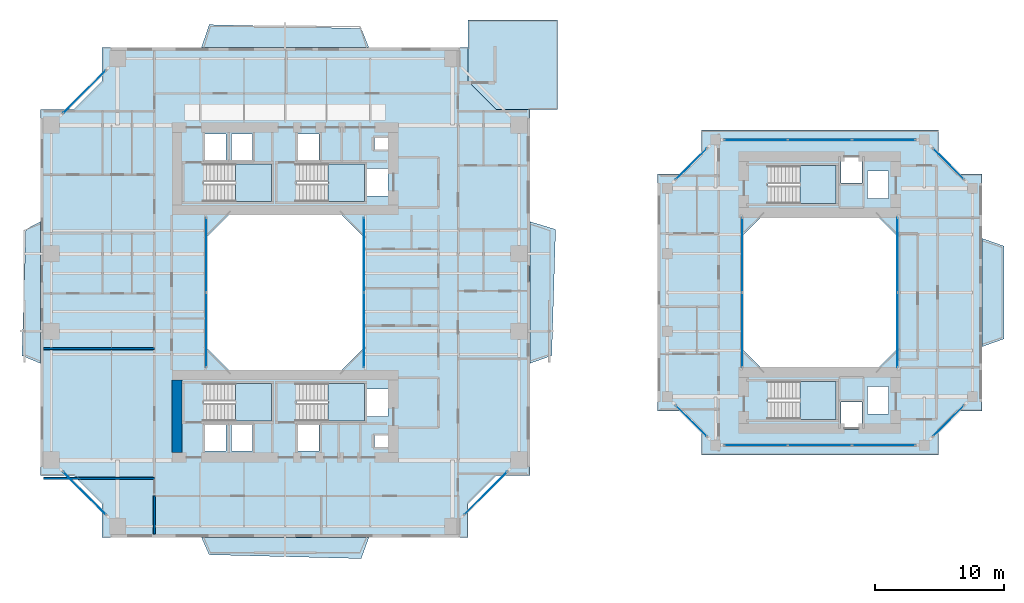
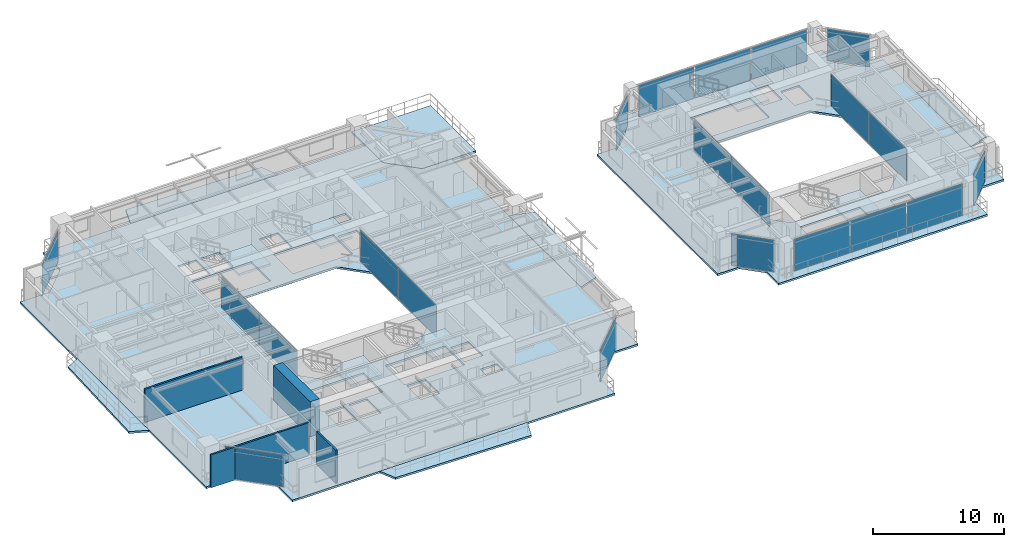
# One storey, part 11 of 23: 21 plates, 14 slabs, 4 walls, 19 elements without a shape of their own.
"""IFC4 building model written with IfcOpenShell, lengths in metres."""

from ifc_helpers import new_model, si_unit, direction, frame, frame_2d, origin, origin_2d, place, context, subcontext, project, spatial, polyline, rectangle, outline, extrude, source, transform, mapped, material, layer, layer_set, type_object, element, aggregate, save


model = new_model("IFC4")

# Units and contexts
model_context = context("Model", 3, precision=1e-05, world=origin(), true_north=direction((0.0, 1.0)))
body_context = subcontext(model_context, "Body", "Model", "MODEL_VIEW")
ifc_project = project(units=[si_unit("LENGTHUNIT", "METRE"), si_unit("AREAUNIT", "SQUARE_METRE"), si_unit("VOLUMEUNIT", "CUBIC_METRE"), si_unit("PLANEANGLEUNIT", "RADIAN"), si_unit("MASSUNIT", "GRAM", prefix="KILO"), si_unit("THERMODYNAMICTEMPERATUREUNIT", "KELVIN"), si_unit("POWERUNIT", "WATT")], contexts=[model_context])

# Site, building, storey
site_placement = place(None, origin())
site = spatial("IfcSite", under=ifc_project, at=site_placement, CompositionType="ELEMENT")
building_placement = place(site_placement, origin())
building = spatial("IfcBuilding", under=site, at=building_placement, Name="Qiaomeng Ring Towers", CompositionType="ELEMENT")
storey_placement = place(building_placement, frame((0.0, 0.0, 82.75)))
storey = spatial("IfcBuildingStorey", under=building, at=storey_placement, Name="L23", CompositionType="ELEMENT", Elevation=82.75)

# Slabs
ifc_material_1 = material(Name="Concrete C40", Category="concrete")
ifc_layer_1 = layer(ifc_material_1, 0.179931640625, Name="Concrete C40")
ifc_layer_set_1 = layer_set([ifc_layer_1], Name="Concrete C40")
slab_type_1 = type_object("IfcSlabType", Name="STR-SL-180", PredefinedType="FLOOR", material=ifc_layer_set_1)
slab_1_placement = place(storey_placement, frame((0.0, 0.0, -0.179931640625)))
element("IfcSlab", 1, at=slab_1_placement, inside=storey, type_object=slab_type_1, Name="L23 Tower 1 Annular Floor Slab", PredefinedType="FLOOR", context=body_context, shape_type="SweptSolid", body=[
    extrude(outline(polyline([(4.800048828125, 4.0), (33.199951171875, 4.0), (33.199951171875, 6.60009765625), (35.39990234375, 8.800048828125), (38.0, 8.800048828125), (38.0, 37.199951171875), (35.39990234375, 37.199951171875), (33.199951171875, 39.39990234375), (33.199951171875, 42.0), (4.800048828125, 42.0), (4.800048828125, 39.39990234375), (2.60009765625, 37.199951171875), (0.0, 37.199951171875), (0.0, 8.800048828125), (2.60009765625, 8.800048828125), (4.800048828125, 6.60009765625), (4.800048828125, 4.0)]), holes=[polyline([(12.780029296875, 10.679931640625), (12.780029296875, 12.820068359375), (14.419921875, 12.820068359375), (14.419921875, 10.679931640625), (12.780029296875, 10.679931640625)]), polyline([(14.830078125, 12.820068359375), (16.469970703125, 12.820068359375), (16.469970703125, 10.679931640625), (14.830078125, 10.679931640625), (14.830078125, 12.820068359375)]), polyline([(12.679931640625, 15.949951171875), (17.949951171875, 15.949951171875), (17.949951171875, 13.010009765625), (12.679931640625, 13.010009765625), (12.679931640625, 15.949951171875)]), polyline([(25.199951171875, 27.199951171875), (25.199951171875, 18.800048828125), (23.199951171875, 16.800048828125), (14.800048828125, 16.800048828125), (12.800048828125, 18.800048828125), (12.800048828125, 27.199951171875), (14.800048828125, 29.199951171875), (23.199951171875, 29.199951171875), (25.199951171875, 27.199951171875)]), polyline([(12.679931640625, 32.989990234375), (17.949951171875, 32.989990234375), (17.949951171875, 30.050048828125), (12.679931640625, 30.050048828125), (12.679931640625, 32.989990234375)]), polyline([(12.780029296875, 35.320068359375), (14.419921875, 35.320068359375), (14.419921875, 33.179931640625), (12.780029296875, 33.179931640625), (12.780029296875, 35.320068359375)]), polyline([(14.830078125, 35.320068359375), (16.469970703125, 35.320068359375), (16.469970703125, 33.179931640625), (14.830078125, 33.179931640625), (14.830078125, 35.320068359375)]), polyline([(19.97998046875, 35.320068359375), (21.6201171875, 35.320068359375), (21.6201171875, 33.179931640625), (19.97998046875, 33.179931640625), (19.97998046875, 35.320068359375)]), polyline([(25.919921875, 11.89990234375), (27.360107421875, 11.89990234375), (27.360107421875, 11.0), (25.919921875, 11.0), (25.919921875, 11.89990234375)]), polyline([(19.97998046875, 12.820068359375), (21.6201171875, 12.820068359375), (21.6201171875, 10.679931640625), (19.97998046875, 10.679931640625), (19.97998046875, 12.820068359375)]), polyline([(25.360107421875, 15.52001953125), (27.0, 15.52001953125), (27.0, 13.3798828125), (25.360107421875, 13.3798828125), (25.360107421875, 15.52001953125)]), polyline([(19.8798828125, 15.949951171875), (25.14990234375, 15.949951171875), (25.14990234375, 13.010009765625), (19.8798828125, 13.010009765625), (19.8798828125, 15.949951171875)]), polyline([(19.8798828125, 32.989990234375), (25.14990234375, 32.989990234375), (25.14990234375, 30.050048828125), (19.8798828125, 30.050048828125), (19.8798828125, 32.989990234375)]), polyline([(25.360107421875, 32.6201171875), (27.0, 32.6201171875), (27.0, 30.47998046875), (25.360107421875, 30.47998046875), (25.360107421875, 32.6201171875)]), polyline([(25.919921875, 35.0), (27.360107421875, 35.0), (27.360107421875, 34.10009765625), (25.919921875, 34.10009765625), (25.919921875, 35.0)])]), origin(), (0.0, 0.0, 1.0), 0.179931640625),
])
slab_2_placement = place(storey_placement, frame((0.0, 0.0, -0.179931640625)))
element("IfcSlab", 2, at=slab_2_placement, inside=storey, type_object=slab_type_1, Name="L23 Companion Tower 2 Annular Floor Slab", PredefinedType="FLOOR", context=body_context, shape_type="SweptSolid", body=[
    extrude(outline(polyline([(51.300048828125, 10.39990234375), (69.699951171875, 10.39990234375), (69.699951171875, 12.300048828125), (71.199951171875, 13.800048828125), (73.10009765625, 13.800048828125), (73.10009765625, 32.199951171875), (71.199951171875, 32.199951171875), (69.699951171875, 33.699951171875), (69.699951171875, 35.60009765625), (51.300048828125, 35.60009765625), (51.300048828125, 33.699951171875), (49.800048828125, 32.199951171875), (47.89990234375, 32.199951171875), (47.89990234375, 13.800048828125), (49.800048828125, 13.800048828125), (51.300048828125, 12.300048828125), (51.300048828125, 10.39990234375)]), holes=[polyline([(62.1298828125, 12.3798828125), (62.1298828125, 14.52001953125), (63.77001953125, 14.52001953125), (63.77001953125, 12.3798828125), (62.1298828125, 12.3798828125)]), polyline([(56.47998046875, 13.159912109375), (56.47998046875, 16.10009765625), (61.75, 16.10009765625), (61.75, 13.159912109375), (56.47998046875, 13.159912109375)]), polyline([(64.179931640625, 13.580078125), (64.179931640625, 15.719970703125), (65.820068359375, 15.719970703125), (65.820068359375, 13.580078125), (64.179931640625, 13.580078125)]), polyline([(64.800048828125, 29.10009765625), (66.60009765625, 27.300048828125), (66.60009765625, 18.699951171875), (64.800048828125, 16.89990234375), (56.199951171875, 16.89990234375), (54.39990234375, 18.699951171875), (54.39990234375, 27.300048828125), (56.199951171875, 29.10009765625), (64.800048828125, 29.10009765625)]), polyline([(64.179931640625, 30.280029296875), (64.179931640625, 32.419921875), (65.820068359375, 32.419921875), (65.820068359375, 30.280029296875), (64.179931640625, 30.280029296875)]), polyline([(56.47998046875, 32.840087890625), (61.75, 32.840087890625), (61.75, 29.89990234375), (56.47998046875, 29.89990234375), (56.47998046875, 32.840087890625)]), polyline([(62.1298828125, 33.6201171875), (63.77001953125, 33.6201171875), (63.77001953125, 31.47998046875), (62.1298828125, 31.47998046875), (62.1298828125, 33.6201171875)])]), origin(), (0.0, 0.0, 1.0), 0.179931640625),
])
ifc_layer_2 = layer(ifc_material_1, 0.179931640625, Name="Concrete C40")
ifc_layer_set_2 = layer_set([ifc_layer_2], Name="Concrete C40")
slab_type_2 = type_object("IfcSlabType", Name="STR-SL-BAL", PredefinedType="FLOOR", material=ifc_layer_set_2)
slab_3_placement = place(storey_placement, frame((0.0, 0.0, -0.179931640625)))
element("IfcSlab", 3, at=slab_3_placement, inside=storey, type_object=slab_type_2, Name="L23 Tower 1 S Faceted Balcony Slab", PredefinedType="FLOOR", context=body_context, shape_type="SweptSolid", body=[
    extrude(outline(polyline([(24.89990234375, 2.35009765625), (13.10009765625, 2.64990234375), (12.5, 4.0), (25.5, 4.0), (24.89990234375, 2.35009765625)])), origin(), (0.0, 0.0, 1.0), 0.179931640625),
])
slab_4_placement = place(storey_placement, frame((0.0, 0.0, -0.179931640625)))
element("IfcSlab", 4, at=slab_4_placement, inside=storey, type_object=slab_type_2, Name="L23 Tower 1 E Faceted Balcony Slab", PredefinedType="FLOOR", context=body_context, shape_type="SweptSolid", body=[
    extrude(outline(polyline([(39.989990234375, 27.89990234375), (39.68994140625, 18.10009765625), (38.0, 17.5), (38.0, 28.5), (39.989990234375, 27.89990234375)])), origin(), (0.0, 0.0, 1.0), 0.179931640625),
])
slab_5_placement = place(storey_placement, frame((0.0, 0.0, -0.179931640625)))
element("IfcSlab", 5, at=slab_5_placement, inside=storey, type_object=slab_type_2, Name="L23 Tower 1 N Faceted Balcony Slab", PredefinedType="FLOOR", context=body_context, shape_type="SweptSolid", body=[
    extrude(outline(polyline([(12.5, 42.0), (13.10009765625, 43.7900390625), (24.89990234375, 43.489990234375), (25.5, 42.0), (12.5, 42.0)])), origin(), (0.0, 0.0, 1.0), 0.179931640625),
])
slab_6_placement = place(storey_placement, frame((0.0, 0.0, -0.179931640625)))
element("IfcSlab", 6, at=slab_6_placement, inside=storey, type_object=slab_type_2, Name="L23 Tower 1 W Faceted Balcony Slab", PredefinedType="FLOOR", context=body_context, shape_type="SweptSolid", body=[
    extrude(outline(polyline([(0.0, 17.5), (-1.429931640625, 18.10009765625), (-1.1298828125, 27.89990234375), (0.0, 28.5), (0.0, 17.5)])), origin(), (0.0, 0.0, 1.0), 0.179931640625),
])
slab_7_placement = place(storey_placement, frame((0.0, 0.0, -0.179931640625)))
element("IfcSlab", 7, at=slab_7_placement, inside=storey, type_object=slab_type_2, Name="L23 Companion East Faceted Balcony Slab", PredefinedType="FLOOR", context=body_context, shape_type="SweptSolid", body=[
    extrude(outline(polyline([(74.7900390625, 26.60009765625), (74.7900390625, 19.39990234375), (73.10009765625, 18.800048828125), (73.10009765625, 27.199951171875), (74.7900390625, 26.60009765625)])), origin(), (0.0, 0.0, 1.0), 0.179931640625),
])

# Stair, slab
ifc_material_2 = material(Name="Precast concrete C40", Category="concrete")
stair_type = type_object("IfcStairType", Name="ARC-ST-325", PredefinedType="HALF_TURN_STAIR", material=ifc_material_2)
stair_1_placement = place(storey_placement, origin())
stair_1 = element("IfcStair", 8, at=stair_1_placement, inside=storey, type_object=stair_type, Name="L23 Tower 1 North Stair 1", PredefinedType="HALF_TURN_STAIR")
ifc_layer_3 = layer(ifc_material_1, 0.199951171875, Name="Concrete C40")
ifc_layer_set_3 = layer_set([ifc_layer_3], Name="Concrete C40")
slab_type_3 = type_object("IfcSlabType", Name="STR-SL-LANDING", PredefinedType="LANDING", material=ifc_layer_set_3)
slab_8_placement = place(storey_placement, frame((0.0, 0.0, 1.425048828125)))
slab_8 = element("IfcSlab", 9, at=slab_8_placement, type_object=slab_type_3, Name="ST1 landing 1", PredefinedType="LANDING", context=body_context, shape_type="SweptSolid", body=[
    extrude(outline(polyline([(15.139892578125, 30.050048828125), (17.949951171875, 30.050048828125), (17.949951171875, 32.989990234375), (15.139892578125, 32.989990234375), (15.139892578125, 30.050048828125)])), origin(), (0.0, 0.0, 1.0), 0.199951171875),
])
aggregate(stair_1, [slab_8])

stair_2_placement = place(storey_placement, origin())
stair_2 = element("IfcStair", 10, at=stair_2_placement, inside=storey, type_object=stair_type, Name="L23 Tower 1 North Stair 2", PredefinedType="HALF_TURN_STAIR")
slab_9_placement = place(storey_placement, frame((0.0, 0.0, 1.425048828125)))
slab_9 = element("IfcSlab", 11, at=slab_9_placement, type_object=slab_type_3, Name="ST2 landing 1", PredefinedType="LANDING", context=body_context, shape_type="SweptSolid", body=[
    extrude(outline(polyline([(22.340087890625, 30.050048828125), (25.14990234375, 30.050048828125), (25.14990234375, 32.989990234375), (22.340087890625, 32.989990234375), (22.340087890625, 30.050048828125)])), origin(), (0.0, 0.0, 1.0), 0.199951171875),
])
aggregate(stair_2, [slab_9])

stair_3_placement = place(storey_placement, origin())
stair_3 = element("IfcStair", 12, at=stair_3_placement, inside=storey, type_object=stair_type, Name="L23 Tower 1 South Stair 3", PredefinedType="HALF_TURN_STAIR")
slab_10_placement = place(storey_placement, frame((0.0, 0.0, 1.425048828125)))
slab_10 = element("IfcSlab", 13, at=slab_10_placement, type_object=slab_type_3, Name="ST3 landing 1", PredefinedType="LANDING", context=body_context, shape_type="SweptSolid", body=[
    extrude(outline(polyline([(15.139892578125, 13.010009765625), (17.949951171875, 13.010009765625), (17.949951171875, 15.949951171875), (15.139892578125, 15.949951171875), (15.139892578125, 13.010009765625)])), origin(), (0.0, 0.0, 1.0), 0.199951171875),
])
aggregate(stair_3, [slab_10])

stair_4_placement = place(storey_placement, origin())
stair_4 = element("IfcStair", 14, at=stair_4_placement, inside=storey, type_object=stair_type, Name="L23 Tower 1 South Stair 4", PredefinedType="HALF_TURN_STAIR")
slab_11_placement = place(storey_placement, frame((0.0, 0.0, 1.425048828125)))
slab_11 = element("IfcSlab", 15, at=slab_11_placement, type_object=slab_type_3, Name="ST4 landing 1", PredefinedType="LANDING", context=body_context, shape_type="SweptSolid", body=[
    extrude(outline(polyline([(22.340087890625, 13.010009765625), (25.14990234375, 13.010009765625), (25.14990234375, 15.949951171875), (22.340087890625, 15.949951171875), (22.340087890625, 13.010009765625)])), origin(), (0.0, 0.0, 1.0), 0.199951171875),
])
aggregate(stair_4, [slab_11])

stair_5_placement = place(storey_placement, origin())
stair_5 = element("IfcStair", 16, at=stair_5_placement, inside=storey, type_object=stair_type, Name="L23 Companion North Stair 5", PredefinedType="HALF_TURN_STAIR")
slab_12_placement = place(storey_placement, frame((0.0, 0.0, 1.425048828125)))
slab_12 = element("IfcSlab", 17, at=slab_12_placement, type_object=slab_type_3, Name="ST5 landing 1", PredefinedType="LANDING", context=body_context, shape_type="SweptSolid", body=[
    extrude(outline(polyline([(58.93994140625, 29.89990234375), (61.75, 29.89990234375), (61.75, 32.840087890625), (58.93994140625, 32.840087890625), (58.93994140625, 29.89990234375)])), origin(), (0.0, 0.0, 1.0), 0.199951171875),
])
aggregate(stair_5, [slab_12])

stair_6_placement = place(storey_placement, origin())
stair_6 = element("IfcStair", 18, at=stair_6_placement, inside=storey, type_object=stair_type, Name="L23 Companion South Stair 6", PredefinedType="HALF_TURN_STAIR")
slab_13_placement = place(storey_placement, frame((0.0, 0.0, 1.425048828125)))
slab_13 = element("IfcSlab", 19, at=slab_13_placement, type_object=slab_type_3, Name="ST6 landing 1", PredefinedType="LANDING", context=body_context, shape_type="SweptSolid", body=[
    extrude(outline(polyline([(58.93994140625, 13.159912109375), (61.75, 13.159912109375), (61.75, 16.10009765625), (58.93994140625, 16.10009765625), (58.93994140625, 13.159912109375)])), origin(), (0.0, 0.0, 1.0), 0.199951171875),
])
aggregate(stair_6, [slab_13])

# Slab
ifc_layer_4 = layer(ifc_material_1, 0.179931640625, Name="Concrete C40")
ifc_layer_set_4 = layer_set([ifc_layer_4], Name="Concrete C40")
slab_type_4 = type_object("IfcSlabType", Name="STR-SL-TERR180", PredefinedType="FLOOR", material=ifc_layer_set_4)
slab_14_placement = place(storey_placement, frame((0.0, 0.0, -0.179931640625)))
element("IfcSlab", 20, at=slab_14_placement, inside=storey, type_object=slab_type_4, Name="L23 Spiralling Corner Sky Terrace NE", PredefinedType="FLOOR", context=body_context, shape_type="SweptSolid", body=[
    extrude(outline(polyline([(33.199951171875, 44.14990234375), (40.14990234375, 44.14990234375), (40.14990234375, 37.199951171875), (38.0, 37.199951171875), (35.39990234375, 37.199951171875), (33.199951171875, 39.39990234375), (33.199951171875, 42.0), (33.199951171875, 44.14990234375)])), origin(), (0.0, 0.0, 1.0), 0.179931640625),
])

# Curtain wall, plates
ifc_material_3 = material(Name="Fluorocarbon dark-grey aluminium", Category="aluminium")
ifc_layer_5 = layer(ifc_material_3, 0.139892578125, Name="Fluorocarbon dark-grey aluminium")
ifc_layer_set_5 = layer_set([ifc_layer_5], Name="Fluorocarbon dark-grey aluminium")
curtain_wall_type_1 = type_object("IfcCurtainWallType", Name="ARC-CW-4", PredefinedType="NOTDEFINED", material=ifc_layer_set_5)
curtain_wall_1_placement = place(storey_placement, origin())
curtain_wall_1 = element("IfcCurtainWall", 21, at=curtain_wall_1_placement, inside=storey, type_object=curtain_wall_type_1, Name="L23 Curtain Wall CW4", PredefinedType="NOTDEFINED")
ifc_material_4 = material(Name="Low-E dark-grey laminated double glazing", Category="glass")
ifc_layer_6 = layer(ifc_material_4, 0.028076171875, Name="Low-E dark-grey laminated double glazing")
ifc_layer_set_6 = layer_set([ifc_layer_6], Name="Low-E dark-grey laminated double glazing")
plate_type = type_object("IfcPlateType", Name="ARC-CWP-DARK", PredefinedType="CURTAIN_PANEL", material=ifc_layer_set_6)
shared_shape_1 = source(origin(), body_context, "Body", "SweptSolid", [
    extrude(rectangle(XDim=5.75244140625, YDim=0.028076171875, at=origin_2d()), origin(), (0.0, 0.0, 1.0), 2.93994140625),
])
plate_1_placement = place(storey_placement, frame((12.8798828125, 20.09130859375, 0.06494140625), z_axis=(0.0, 0.0, 1.0), x_axis=(0.0, 1.0, 0.0)))
plate_1 = element("IfcPlate", 22, at=plate_1_placement, type_object=plate_type, Name="CW4 panel 1.1", PredefinedType="CURTAIN_PANEL", context=body_context, shape_type="MappedRepresentation", body=[
    mapped(shared_shape_1, transform((0.0, 0.0, 0.0), x_axis=(1.0, 0.0, 0.0), y_axis=(0.0, 1.0, 0.0), z_axis=(0.0, 0.0, 1.0), scale=1.0)),
])
plate_2_placement = place(storey_placement, frame((12.8798828125, 25.90869140625, 0.06494140625), z_axis=(0.0, 0.0, 1.0), x_axis=(0.0, 1.0, 0.0)))
plate_2 = element("IfcPlate", 23, at=plate_2_placement, type_object=plate_type, Name="CW4 panel 2.1", PredefinedType="CURTAIN_PANEL", context=body_context, shape_type="MappedRepresentation", body=[
    mapped(shared_shape_1, transform((0.0, 0.0, 0.0), x_axis=(1.0, 0.0, 0.0), y_axis=(0.0, 1.0, 0.0), z_axis=(0.0, 0.0, 1.0), scale=1.0)),
])
aggregate(curtain_wall_1, [plate_1, plate_2])

curtain_wall_2_placement = place(storey_placement, origin())
curtain_wall_2 = element("IfcCurtainWall", 24, at=curtain_wall_2_placement, inside=storey, type_object=curtain_wall_type_1, Name="L23 Curtain Wall CW4", PredefinedType="NOTDEFINED")
plate_3_placement = place(storey_placement, frame((25.1201171875, 20.09130859375, 0.06494140625), z_axis=(0.0, 0.0, 1.0), x_axis=(0.0, 1.0, 0.0)))
plate_3 = element("IfcPlate", 25, at=plate_3_placement, type_object=plate_type, Name="CW4 panel 1.1", PredefinedType="CURTAIN_PANEL", context=body_context, shape_type="MappedRepresentation", body=[
    mapped(shared_shape_1, transform((0.0, 0.0, 0.0), x_axis=(1.0, 0.0, 0.0), y_axis=(0.0, 1.0, 0.0), z_axis=(0.0, 0.0, 1.0), scale=1.0)),
])
plate_4_placement = place(storey_placement, frame((25.1201171875, 25.90869140625, 0.06494140625), z_axis=(0.0, 0.0, 1.0), x_axis=(0.0, 1.0, 0.0)))
plate_4 = element("IfcPlate", 26, at=plate_4_placement, type_object=plate_type, Name="CW4 panel 2.1", PredefinedType="CURTAIN_PANEL", context=body_context, shape_type="MappedRepresentation", body=[
    mapped(shared_shape_1, transform((0.0, 0.0, 0.0), x_axis=(1.0, 0.0, 0.0), y_axis=(0.0, 1.0, 0.0), z_axis=(0.0, 0.0, 1.0), scale=1.0)),
])
aggregate(curtain_wall_2, [plate_3, plate_4])

curtain_wall_3_placement = place(storey_placement, origin())
curtain_wall_3 = element("IfcCurtainWall", 27, at=curtain_wall_3_placement, inside=storey, type_object=curtain_wall_type_1, Name="L23 Curtain Wall CW4", PredefinedType="NOTDEFINED")
plate_5_placement = place(storey_placement, frame((54.47998046875, 20.09130859375, 0.06494140625), z_axis=(0.0, 0.0, 1.0), x_axis=(0.0, 1.0, 0.0)))
plate_5 = element("IfcPlate", 28, at=plate_5_placement, type_object=plate_type, Name="CW4 panel 1.1", PredefinedType="CURTAIN_PANEL", context=body_context, shape_type="MappedRepresentation", body=[
    mapped(shared_shape_1, transform((0.0, 0.0, 0.0), x_axis=(1.0, 0.0, 0.0), y_axis=(0.0, 1.0, 0.0), z_axis=(0.0, 0.0, 1.0), scale=1.0)),
])
plate_6_placement = place(storey_placement, frame((54.47998046875, 25.90869140625, 0.06494140625), z_axis=(0.0, 0.0, 1.0), x_axis=(0.0, 1.0, 0.0)))
plate_6 = element("IfcPlate", 29, at=plate_6_placement, type_object=plate_type, Name="CW4 panel 2.1", PredefinedType="CURTAIN_PANEL", context=body_context, shape_type="MappedRepresentation", body=[
    mapped(shared_shape_1, transform((0.0, 0.0, 0.0), x_axis=(1.0, 0.0, 0.0), y_axis=(0.0, 1.0, 0.0), z_axis=(0.0, 0.0, 1.0), scale=1.0)),
])
aggregate(curtain_wall_3, [plate_5, plate_6])

curtain_wall_4_placement = place(storey_placement, origin())
curtain_wall_4 = element("IfcCurtainWall", 30, at=curtain_wall_4_placement, inside=storey, type_object=curtain_wall_type_1, Name="L23 Curtain Wall CW4", PredefinedType="NOTDEFINED")
plate_7_placement = place(storey_placement, frame((66.52001953125, 20.09130859375, 0.06494140625), z_axis=(0.0, 0.0, 1.0), x_axis=(0.0, 1.0, 0.0)))
plate_7 = element("IfcPlate", 31, at=plate_7_placement, type_object=plate_type, Name="CW4 panel 1.1", PredefinedType="CURTAIN_PANEL", context=body_context, shape_type="MappedRepresentation", body=[
    mapped(shared_shape_1, transform((0.0, 0.0, 0.0), x_axis=(1.0, 0.0, 0.0), y_axis=(0.0, 1.0, 0.0), z_axis=(0.0, 0.0, 1.0), scale=1.0)),
])
plate_8_placement = place(storey_placement, frame((66.52001953125, 25.90869140625, 0.06494140625), z_axis=(0.0, 0.0, 1.0), x_axis=(0.0, 1.0, 0.0)))
plate_8 = element("IfcPlate", 32, at=plate_8_placement, type_object=plate_type, Name="CW4 panel 2.1", PredefinedType="CURTAIN_PANEL", context=body_context, shape_type="MappedRepresentation", body=[
    mapped(shared_shape_1, transform((0.0, 0.0, 0.0), x_axis=(1.0, 0.0, 0.0), y_axis=(0.0, 1.0, 0.0), z_axis=(0.0, 0.0, 1.0), scale=1.0)),
])
aggregate(curtain_wall_4, [plate_7, plate_8])

# Curtain wall, plate
ifc_layer_7 = layer(ifc_material_3, 0.159912109375, Name="Fluorocarbon dark-grey aluminium")
ifc_layer_set_7 = layer_set([ifc_layer_7], Name="Fluorocarbon dark-grey aluminium")
curtain_wall_type_2 = type_object("IfcCurtainWallType", Name="ARC-CW-2", PredefinedType="NOTDEFINED", material=ifc_layer_set_7)
curtain_wall_5_placement = place(storey_placement, origin())
curtain_wall_5 = element("IfcCurtainWall", 33, at=curtain_wall_5_placement, inside=storey, type_object=curtain_wall_type_2, Name="L23 Curtain Wall CW2", PredefinedType="NOTDEFINED")
shared_shape_2 = source(origin(), body_context, "Body", "SweptSolid", [
    extrude(rectangle(XDim=4.6259765625, YDim=0.028076171875, at=origin_2d()), origin(), (0.0, 0.0, 1.0), 2.93994140625),
])
plate_9_placement = place(storey_placement, frame((34.574951171875, 7.425048828125, 0.06494140625), z_axis=(0.0, 0.0, 1.0), x_axis=(0.707106781187, 0.707106781187, 0.0)))
plate_9 = element("IfcPlate", 34, at=plate_9_placement, type_object=plate_type, Name="CW2 panel 1.1", PredefinedType="CURTAIN_PANEL", context=body_context, shape_type="MappedRepresentation", body=[
    mapped(shared_shape_2, transform((0.0, 0.0, 0.0), x_axis=(1.0, 0.0, 0.0), y_axis=(0.0, 1.0, 0.0), z_axis=(0.0, 0.0, 1.0), scale=1.0)),
])
aggregate(curtain_wall_5, [plate_9])

curtain_wall_6_placement = place(storey_placement, origin())
curtain_wall_6 = element("IfcCurtainWall", 35, at=curtain_wall_6_placement, inside=storey, type_object=curtain_wall_type_2, Name="L23 Curtain Wall CW2", PredefinedType="NOTDEFINED")
plate_10_placement = place(storey_placement, frame((3.425048828125, 38.574951171875, 0.06494140625), z_axis=(0.0, 0.0, 1.0), x_axis=(-0.707106781187, -0.707106781187, 0.0)))
plate_10 = element("IfcPlate", 36, at=plate_10_placement, type_object=plate_type, Name="CW2 panel 1.1", PredefinedType="CURTAIN_PANEL", context=body_context, shape_type="MappedRepresentation", body=[
    mapped(shared_shape_2, transform((0.0, 0.0, 0.0), x_axis=(1.0, 0.0, 0.0), y_axis=(0.0, 1.0, 0.0), z_axis=(0.0, 0.0, 1.0), scale=1.0)),
])
aggregate(curtain_wall_6, [plate_10])

curtain_wall_7_placement = place(storey_placement, origin())
curtain_wall_7 = element("IfcCurtainWall", 37, at=curtain_wall_7_placement, inside=storey, type_object=curtain_wall_type_2, Name="L23 Curtain Wall CW2", PredefinedType="NOTDEFINED")
plate_11_placement = place(storey_placement, frame((3.425048828125, 7.425048828125, 0.06494140625), z_axis=(0.0, 0.0, 1.0), x_axis=(0.707106781187, -0.707106781187, 0.0)))
plate_11 = element("IfcPlate", 38, at=plate_11_placement, type_object=plate_type, Name="CW2 panel 1.1", PredefinedType="CURTAIN_PANEL", context=body_context, shape_type="MappedRepresentation", body=[
    mapped(shared_shape_2, transform((0.0, 0.0, 0.0), x_axis=(1.0, 0.0, 0.0), y_axis=(0.0, 1.0, 0.0), z_axis=(0.0, 0.0, 1.0), scale=1.0)),
])
aggregate(curtain_wall_7, [plate_11])

# Curtain wall, plates
ifc_layer_8 = layer(ifc_material_3, 0.14990234375, Name="Fluorocarbon dark-grey aluminium")
ifc_layer_set_8 = layer_set([ifc_layer_8], Name="Fluorocarbon dark-grey aluminium")
curtain_wall_type_3 = type_object("IfcCurtainWallType", Name="ARC-CW-5", PredefinedType="NOTDEFINED", material=ifc_layer_set_8)
curtain_wall_8_placement = place(storey_placement, origin())
curtain_wall_8 = element("IfcCurtainWall", 39, at=curtain_wall_8_placement, inside=storey, type_object=curtain_wall_type_3, Name="L23 Curtain Wall CW5", PredefinedType="NOTDEFINED")
shared_shape_3 = source(origin(), body_context, "Body", "SweptSolid", [
    extrude(rectangle(XDim=4.868408203125, YDim=0.028076171875, at=origin_2d()), origin(), (0.0, 0.0, 1.0), 2.93994140625),
])
plate_12_placement = place(storey_placement, frame((55.544189453125, 34.85009765625, 0.06494140625), z_axis=(0.0, 0.0, 1.0), x_axis=(1.0, 0.0, 0.0)))
plate_12 = element("IfcPlate", 40, at=plate_12_placement, type_object=plate_type, Name="CW5 panel 1.1", PredefinedType="CURTAIN_PANEL", context=body_context, shape_type="MappedRepresentation", body=[
    mapped(shared_shape_3, transform((0.0, 0.0, 0.0), x_axis=(1.0, 0.0, 0.0), y_axis=(0.0, 1.0, 0.0), z_axis=(0.0, 0.0, 1.0), scale=1.0)),
])
plate_13_placement = place(storey_placement, frame((65.455810546875, 34.85009765625, 0.06494140625), z_axis=(0.0, 0.0, 1.0), x_axis=(1.0, 0.0, 0.0)))
plate_13 = element("IfcPlate", 41, at=plate_13_placement, type_object=plate_type, Name="CW5 panel 3.1", PredefinedType="CURTAIN_PANEL", context=body_context, shape_type="MappedRepresentation", body=[
    mapped(shared_shape_3, transform((0.0, 0.0, 0.0), x_axis=(1.0, 0.0, 0.0), y_axis=(0.0, 1.0, 0.0), z_axis=(0.0, 0.0, 1.0), scale=1.0)),
])

curtain_wall_9_placement = place(storey_placement, origin())
curtain_wall_9 = element("IfcCurtainWall", 42, at=curtain_wall_9_placement, inside=storey, type_object=curtain_wall_type_3, Name="L23 Curtain Wall CW5", PredefinedType="NOTDEFINED")
plate_14_placement = place(storey_placement, frame((55.544189453125, 11.14990234375, 0.06494140625), z_axis=(0.0, 0.0, 1.0), x_axis=(1.0, 0.0, 0.0)))
plate_14 = element("IfcPlate", 43, at=plate_14_placement, type_object=plate_type, Name="CW5 panel 1.1", PredefinedType="CURTAIN_PANEL", context=body_context, shape_type="MappedRepresentation", body=[
    mapped(shared_shape_3, transform((0.0, 0.0, 0.0), x_axis=(1.0, 0.0, 0.0), y_axis=(0.0, 1.0, 0.0), z_axis=(0.0, 0.0, 1.0), scale=1.0)),
])
plate_15_placement = place(storey_placement, frame((65.455810546875, 11.14990234375, 0.06494140625), z_axis=(0.0, 0.0, 1.0), x_axis=(1.0, 0.0, 0.0)))
plate_15 = element("IfcPlate", 44, at=plate_15_placement, type_object=plate_type, Name="CW5 panel 3.1", PredefinedType="CURTAIN_PANEL", context=body_context, shape_type="MappedRepresentation", body=[
    mapped(shared_shape_3, transform((0.0, 0.0, 0.0), x_axis=(1.0, 0.0, 0.0), y_axis=(0.0, 1.0, 0.0), z_axis=(0.0, 0.0, 1.0), scale=1.0)),
])

# Plate
shared_shape_4 = source(origin(), body_context, "Body", "SweptSolid", [
    extrude(rectangle(XDim=4.9033203125, YDim=0.028076171875, at=origin_2d()), origin(), (0.0, 0.0, 1.0), 2.93994140625),
])
plate_16_placement = place(storey_placement, frame((60.5, 34.85009765625, 0.06494140625), z_axis=(0.0, 0.0, 1.0), x_axis=(1.0, 0.0, 0.0)))
plate_16 = element("IfcPlate", 45, at=plate_16_placement, type_object=plate_type, Name="CW5 panel 2.1", PredefinedType="CURTAIN_PANEL", context=body_context, shape_type="MappedRepresentation", body=[
    mapped(shared_shape_4, transform((0.0, 0.0, 0.0), x_axis=(1.0, 0.0, 0.0), y_axis=(0.0, 1.0, 0.0), z_axis=(0.0, 0.0, 1.0), scale=1.0)),
])

aggregate(curtain_wall_8, [plate_12, plate_16, plate_13])

plate_17_placement = place(storey_placement, frame((60.5, 11.14990234375, 0.06494140625), z_axis=(0.0, 0.0, 1.0), x_axis=(1.0, 0.0, 0.0)))
plate_17 = element("IfcPlate", 46, at=plate_17_placement, type_object=plate_type, Name="CW5 panel 2.1", PredefinedType="CURTAIN_PANEL", context=body_context, shape_type="MappedRepresentation", body=[
    mapped(shared_shape_4, transform((0.0, 0.0, 0.0), x_axis=(1.0, 0.0, 0.0), y_axis=(0.0, 1.0, 0.0), z_axis=(0.0, 0.0, 1.0), scale=1.0)),
])

aggregate(curtain_wall_9, [plate_14, plate_17, plate_15])

# Curtain wall, plate
curtain_wall_10_placement = place(storey_placement, origin())
curtain_wall_10 = element("IfcCurtainWall", 47, at=curtain_wall_10_placement, inside=storey, type_object=curtain_wall_type_3, Name="L23 Curtain Wall CW5", PredefinedType="NOTDEFINED")
shared_shape_5 = source(origin(), body_context, "Body", "SweptSolid", [
    extrude(rectangle(XDim=3.35302734375, YDim=0.028076171875, at=origin_2d()), origin(), (0.0, 0.0, 1.0), 2.93994140625),
])
plate_18_placement = place(storey_placement, frame((70.47509765625, 13.02490234375, 0.06494140625), z_axis=(0.0, 0.0, 1.0), x_axis=(0.707106781187, 0.707106781187, 0.0)))
plate_18 = element("IfcPlate", 48, at=plate_18_placement, type_object=plate_type, Name="CW5 panel 1.1", PredefinedType="CURTAIN_PANEL", context=body_context, shape_type="MappedRepresentation", body=[
    mapped(shared_shape_5, transform((0.0, 0.0, 0.0), x_axis=(1.0, 0.0, 0.0), y_axis=(0.0, 1.0, 0.0), z_axis=(0.0, 0.0, 1.0), scale=1.0)),
])
aggregate(curtain_wall_10, [plate_18])

curtain_wall_11_placement = place(storey_placement, origin())
curtain_wall_11 = element("IfcCurtainWall", 49, at=curtain_wall_11_placement, inside=storey, type_object=curtain_wall_type_3, Name="L23 Curtain Wall CW5", PredefinedType="NOTDEFINED")
plate_19_placement = place(storey_placement, frame((70.47509765625, 32.97509765625, 0.06494140625), z_axis=(0.0, 0.0, 1.0), x_axis=(-0.707106781187, 0.707106781187, 0.0)))
plate_19 = element("IfcPlate", 50, at=plate_19_placement, type_object=plate_type, Name="CW5 panel 1.1", PredefinedType="CURTAIN_PANEL", context=body_context, shape_type="MappedRepresentation", body=[
    mapped(shared_shape_5, transform((0.0, 0.0, 0.0), x_axis=(1.0, 0.0, 0.0), y_axis=(0.0, 1.0, 0.0), z_axis=(0.0, 0.0, 1.0), scale=1.0)),
])
aggregate(curtain_wall_11, [plate_19])

curtain_wall_12_placement = place(storey_placement, origin())
curtain_wall_12 = element("IfcCurtainWall", 51, at=curtain_wall_12_placement, inside=storey, type_object=curtain_wall_type_3, Name="L23 Curtain Wall CW5", PredefinedType="NOTDEFINED")
plate_20_placement = place(storey_placement, frame((50.52490234375, 32.97509765625, 0.06494140625), z_axis=(0.0, 0.0, 1.0), x_axis=(-0.707106781187, -0.707106781187, 0.0)))
plate_20 = element("IfcPlate", 52, at=plate_20_placement, type_object=plate_type, Name="CW5 panel 1.1", PredefinedType="CURTAIN_PANEL", context=body_context, shape_type="MappedRepresentation", body=[
    mapped(shared_shape_5, transform((0.0, 0.0, 0.0), x_axis=(1.0, 0.0, 0.0), y_axis=(0.0, 1.0, 0.0), z_axis=(0.0, 0.0, 1.0), scale=1.0)),
])
aggregate(curtain_wall_12, [plate_20])

curtain_wall_13_placement = place(storey_placement, origin())
curtain_wall_13 = element("IfcCurtainWall", 53, at=curtain_wall_13_placement, inside=storey, type_object=curtain_wall_type_3, Name="L23 Curtain Wall CW5", PredefinedType="NOTDEFINED")
plate_21_placement = place(storey_placement, frame((50.52490234375, 13.02490234375, 0.06494140625), z_axis=(0.0, 0.0, 1.0), x_axis=(0.707106781187, -0.707106781187, 0.0)))
plate_21 = element("IfcPlate", 54, at=plate_21_placement, type_object=plate_type, Name="CW5 panel 1.1", PredefinedType="CURTAIN_PANEL", context=body_context, shape_type="MappedRepresentation", body=[
    mapped(shared_shape_5, transform((0.0, 0.0, 0.0), x_axis=(1.0, 0.0, 0.0), y_axis=(0.0, 1.0, 0.0), z_axis=(0.0, 0.0, 1.0), scale=1.0)),
])
aggregate(curtain_wall_13, [plate_21])

# Walls
ifc_material_5 = material(Name="Gypsum fireboard steel-stud partition", Category="steel")
ifc_layer_9 = layer(ifc_material_5, 0.14990234375, Name="Gypsum fireboard steel-stud partition")
ifc_layer_set_9 = layer_set([ifc_layer_9], Name="Gypsum fireboard steel-stud partition")
wall_type_1 = type_object("IfcWallType", Name="ARC-WL-PW3", PredefinedType="PARTITIONING", material=ifc_layer_set_9)
wall_1_placement = place(storey_placement, frame((8.85009765625, 4.25, 0.0), z_axis=(0.0, 0.0, 1.0), x_axis=(0.0, 1.0, 0.0)))
element("IfcWall", 55, at=wall_1_placement, inside=storey, type_object=wall_type_1, Name="L23 Interior Wall PW3", PredefinedType="PARTITIONING", context=body_context, shape_type="SweptSolid", body=[
    extrude(rectangle(XDim=2.9599609375, YDim=0.14990234375, at=frame_2d((1.47998046875, 0.0))), origin(), (0.0, 0.0, 1.0), 3.070068359375),
])
for number, where, z_axis, x_axis, name in (
    (56, (0.25, 8.570068359375, 0.0), (0.0, 0.0, 1.0), (1.0, 0.0, 0.0), "L23 Interior Wall PW3"),
    (57, (0.25, 18.639892578125, 0.0), (0.0, 0.0, 1.0), (1.0, 0.0, 0.0), "L23 Interior Wall PW3"),
):
    element("IfcWall", number, at=place(storey_placement, frame(where, z_axis=z_axis, x_axis=x_axis)), inside=storey, type_object=wall_type_1, Name=name, PredefinedType="PARTITIONING", context=body_context, shape_type="SweptSolid", body=[
        extrude(rectangle(XDim=8.60009765625, YDim=0.14990234375, at=frame_2d((4.300048828125, 0.0))), origin(), (0.0, 0.0, 1.0), 3.070068359375),
    ])
ifc_material_6 = material(Name="Concrete C60", Category="concrete")
ifc_layer_10 = layer(ifc_material_6, 0.800048828125, Name="Concrete C60")
ifc_layer_set_10 = layer_set([ifc_layer_10], Name="Concrete C60")
wall_type_2 = type_object("IfcWallType", Name="STR-WL-SW1", PredefinedType="SHEAR", material=ifc_layer_set_10)
wall_2_placement = place(storey_placement, frame((10.60009765625, 10.60009765625, 0.0), z_axis=(0.0, 0.0, 1.0), x_axis=(0.0, 1.0, 0.0)))
element("IfcWall", 58, at=wall_2_placement, inside=storey, type_object=wall_type_2, Name="L23 T1SC west core shear wall", PredefinedType="SHEAR", context=body_context, shape_type="SweptSolid", body=[
    extrude(rectangle(XDim=5.599853515625, YDim=0.800048828125, at=frame_2d((2.7998046875, 0.0))), origin(), (0.0, 0.0, 1.0), 3.25),
])

save(model, "model.ifc")
